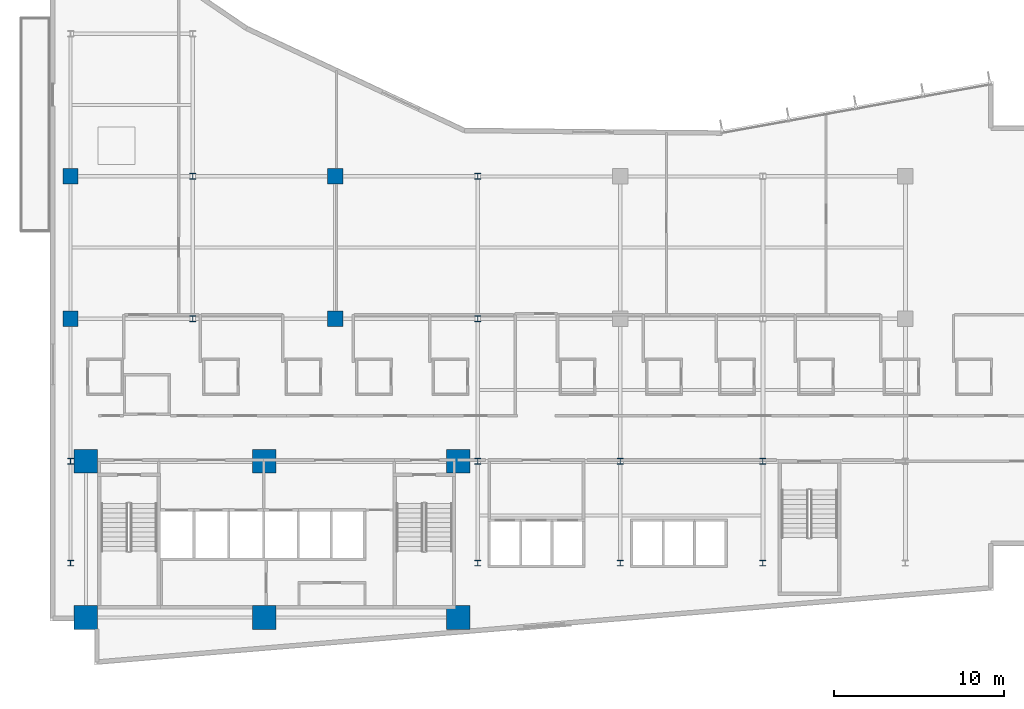
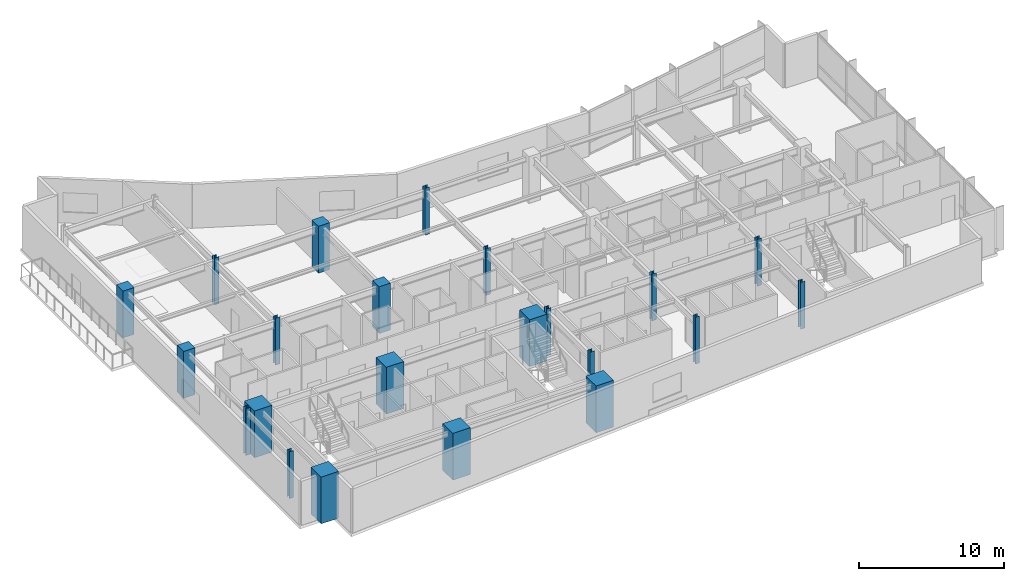
# One storey, part 1 of 21: 22 columns.
"""IFC4 building model written with IfcOpenShell, lengths in metres."""

import ifcopenshell
import ifcopenshell.guid

model = None  # the IFC model being written
_history = None  # IfcOwnerHistory: only IFC2X3 demands one
_inside = {}  # id of a spatial element -> (the spatial element, [elements in it])
_under = {}  # id of a project, library or spatial element -> (it, [spatial elements below it])
_declared = {}  # id of a project -> (the project, [libraries it declares])
_typed = {}  # id of a type object -> (the type object, [elements of that type])
_made_of = {}  # id of a material, layer set ... -> (it, [elements and type objects made of it])


def new_model(schema):
    """Start an empty IFC model of exactly this schema.

    Asked for "IFC4X3", IfcOpenShell would pick the latest addendum, in which some entities
    have other attributes; the version numbers below select the first issue.
    IFC2X3 requires an IfcOwnerHistory on every rooted entity: one is made here for all.
    """
    global model, _history
    if schema == "IFC4X3":
        model = ifcopenshell.file(schema_version=(4, 3, 0, 0))
    else:
        model = ifcopenshell.file(schema=schema)
    _inside.clear()
    _under.clear()
    _declared.clear()
    _typed.clear()
    _made_of.clear()
    _history = None
    if model.schema == "IFC2X3":
        org = make("IfcOrganization", Name="unknown")
        user = make(
            "IfcPersonAndOrganization",
            ThePerson=make("IfcPerson", FamilyName="unknown"),
            TheOrganization=org,
        )
        app = make(
            "IfcApplication",
            ApplicationDeveloper=org,
            Version="unknown",
            ApplicationFullName="unknown",
            ApplicationIdentifier="unknown",
        )
        _history = make(
            "IfcOwnerHistory",
            OwningUser=user,
            OwningApplication=app,
            ChangeAction="ADDED",
            CreationDate=0,
        )
    return model


def make(cls, **values):
    """One entity of the class cls with the attributes given. An attribute that is None is left unset."""
    return model.create_entity(
        cls, **{name: value for name, value in values.items() if value is not None}
    )


def rooted(cls, **values):
    """An entity with a GlobalId (a new one), such as an element, a storey or a relation."""
    return make(cls, GlobalId=ifcopenshell.guid.new(), OwnerHistory=_history, **values)


def si_unit(unit_type, name, prefix=None):
    """IfcSIUnit, for example si_unit("LENGTHUNIT", "METRE", prefix="MILLI")."""
    return make("IfcSIUnit", UnitType=unit_type, Prefix=prefix, Name=name)


def assignment(units):
    """IfcUnitAssignment: the units of a project."""
    return None if units is None else make("IfcUnitAssignment", Units=units)


def point(xyz):
    """IfcCartesianPoint."""
    return None if xyz is None else make("IfcCartesianPoint", Coordinates=xyz)


def direction(xyz):
    """IfcDirection."""
    return None if xyz is None else make("IfcDirection", DirectionRatios=xyz)


def frame(location, z_axis=None, x_axis=None):
    """IfcAxis2Placement3D, a coordinate frame: its origin and axes. An axis left out is left unset."""
    return make(
        "IfcAxis2Placement3D",
        Location=point(location),
        Axis=direction(z_axis),
        RefDirection=direction(x_axis),
    )


def frame_2d(location, x_axis=None):
    """IfcAxis2Placement2D, a coordinate frame in the plane: its origin and x axis."""
    return make(
        "IfcAxis2Placement2D", Location=point(location), RefDirection=direction(x_axis)
    )


def origin():
    """The frame at (0, 0, 0) with its axes left unset."""
    return frame((0.0, 0.0, 0.0))


def origin_2d():
    """The frame at (0, 0) in the plane with its x axis left unset."""
    return frame_2d((0.0, 0.0))


def place(relative_to, where):
    """IfcLocalPlacement: puts the frame where relative to a parent placement (None: the world)."""
    return make(
        "IfcLocalPlacement", PlacementRelTo=relative_to, RelativePlacement=where
    )


def context(
    kind, dimensions, precision=None, world=None, true_north=None, identifier=None
):
    """IfcGeometricRepresentationContext, for example the 3D "Model" context."""
    return make(
        "IfcGeometricRepresentationContext",
        ContextIdentifier=identifier,
        ContextType=kind,
        CoordinateSpaceDimension=dimensions,
        Precision=precision,
        WorldCoordinateSystem=world,
        TrueNorth=true_north,
    )


def subcontext(parent, identifier, kind, view, scale=None):
    """IfcGeometricRepresentationSubContext, for example "Body" below "Model"."""
    return make(
        "IfcGeometricRepresentationSubContext",
        ContextIdentifier=identifier,
        ContextType=kind,
        ParentContext=parent,
        TargetScale=scale,
        TargetView=view,
    )


def project(units=None, contexts=None):
    """IfcProject with its units and contexts."""
    return rooted(
        "IfcProject",
        Name="project",
        RepresentationContexts=contexts,
        UnitsInContext=assignment(units),
    )


def spatial(cls, under=None, at=None, **own):
    """A site, building, storey or space (cls), placed at a placement, below another one or the project."""
    s = rooted(cls, ObjectPlacement=at, **own)
    if under is not None:
        _under.setdefault(under.id(), (under, []))[1].append(s)
    return s


def profile(cls, at=None, kind="AREA", **sizes):
    """A parametric profile (cls). Its sizes go by their IFC names, for example OverallWidth=200.0."""
    return make(cls, ProfileType=kind, Position=at, **sizes)


def rectangle(**sizes):
    """IfcRectangleProfileDef."""
    return profile("IfcRectangleProfileDef", **sizes)


def i_section(**sizes):
    """IfcIShapeProfileDef."""
    return profile("IfcIShapeProfileDef", **sizes)


def extrude(swept, where, along, depth):
    """IfcExtrudedAreaSolid: the profile swept, set in the frame where, extruded along a direction by depth."""
    return make(
        "IfcExtrudedAreaSolid",
        SweptArea=swept,
        Position=where,
        ExtrudedDirection=direction(along),
        Depth=depth,
    )


def shape(context_of_items, identifier, shape_type, items):
    """IfcShapeRepresentation: the items that make up one representation, for example the "Body"."""
    return make(
        "IfcShapeRepresentation",
        ContextOfItems=context_of_items,
        RepresentationIdentifier=identifier,
        RepresentationType=shape_type,
        Items=items,
    )


def material(Name=None, Category=None):
    """IfcMaterial."""
    return make("IfcMaterial", Name=Name, Category=Category)


def material_profile(
    of_material, cross_section, Name=None, Category=None, Priority=None
):
    """IfcMaterialProfile: a cross section and its material."""
    return make(
        "IfcMaterialProfile",
        Name=Name,
        Material=of_material,
        Profile=cross_section,
        Priority=Priority,
        Category=Category,
    )


def profile_set(profiles, Name=None, composite=None):
    """IfcMaterialProfileSet."""
    return make(
        "IfcMaterialProfileSet",
        Name=Name,
        MaterialProfiles=profiles,
        CompositeProfile=composite,
    )


def made_of(thing, what):
    """Note that an element or type object is made of a material, layer set ...; save() writes the relation."""
    if what is not None:
        _made_of.setdefault(what.id(), (what, []))[1].append(thing)
    return thing


def type_object(cls, material=None, **own):
    """A type object (cls), such as IfcWallType, which elements share."""
    return made_of(rooted(cls, **own), material)


def element(
    cls,
    number,
    at=None,
    inside=None,
    cuts=None,
    type_object=None,
    material=None,
    context=None,
    identifier="Body",
    shape_type=None,
    held_by="IfcProductDefinitionShape",
    body=None,
    shapes=None,
    **own,
):
    """One element of the class cls, such as IfcWall. Its Tag is "e" and its number.

    at: its placement. inside: the storey or other place that contains it. cuts: it is an
    opening in that element (IfcRelVoidsElement). A single representation is given by context,
    identifier, shape_type and body (its items); several are given by shapes. held_by: the class
    of the entity that holds the representations. save() writes the other relations.
    """
    e = rooted(cls, Tag="e%d" % number, ObjectPlacement=at, **own)
    if body is not None:
        shapes = [shape(context, identifier, shape_type, body)]
    if shapes is not None:
        e.Representation = make(held_by, Representations=shapes)
    if inside is not None:
        _inside.setdefault(inside.id(), (inside, []))[1].append(e)
    if cuts is not None:
        rooted(
            "IfcRelVoidsElement", RelatingBuildingElement=cuts, RelatedOpeningElement=e
        )
    if type_object is not None:
        _typed.setdefault(type_object.id(), (type_object, []))[1].append(e)
    return made_of(e, material)


def aggregate(whole, parts):
    """IfcRelAggregates: a whole, such as a stair, and the parts it consists of."""
    return rooted("IfcRelAggregates", RelatingObject=whole, RelatedObjects=parts)


def save(model, path):
    """Write the relations noted so far, then the file.

    IfcRelAggregates (storeys below a building ...), IfcRelContainedInSpatialStructure (elements
    in a storey), IfcRelDefinesByType, IfcRelAssociatesMaterial and IfcRelDeclares: one each for
    every whole, place, type object, material and project.
    """
    for whole, parts in _under.values():
        aggregate(whole, parts)
    for where, things in _inside.values():
        rooted(
            "IfcRelContainedInSpatialStructure",
            RelatedElements=things,
            RelatingStructure=where,
        )
    for kind, things in _typed.values():
        rooted("IfcRelDefinesByType", RelatedObjects=things, RelatingType=kind)
    for what, things in _made_of.values():
        rooted("IfcRelAssociatesMaterial", RelatedObjects=things, RelatingMaterial=what)
    for by, libraries in _declared.values():
        rooted("IfcRelDeclares", RelatingContext=by, RelatedDefinitions=libraries)
    model.write(path)


model = new_model("IFC4")

# Units and contexts
model_context = context("Model", 3, precision=1e-05, world=origin(), true_north=direction((0.0, 1.0)))
body_context = subcontext(model_context, "Body", "Model", "MODEL_VIEW")
ifc_project = project(units=[si_unit("LENGTHUNIT", "METRE"), si_unit("AREAUNIT", "SQUARE_METRE"), si_unit("VOLUMEUNIT", "CUBIC_METRE"), si_unit("PLANEANGLEUNIT", "RADIAN"), si_unit("MASSUNIT", "GRAM", prefix="KILO")], contexts=[model_context])

# Site, building, storey
site_placement = place(None, origin())
site = spatial("IfcSite", under=ifc_project, at=site_placement, CompositionType="ELEMENT")
building_placement = place(site_placement, origin())
building = spatial("IfcBuilding", under=site, at=building_placement, Name="Varnakote Quay Hospital", CompositionType="ELEMENT")
storey_placement = place(building_placement, frame((0.0, 0.0, 42.25)))
storey = spatial("IfcBuildingStorey", under=building, at=storey_placement, Name="L10", CompositionType="ELEMENT", Elevation=42.25)

# Columns
ifc_material_1 = material(Name="Concrete N80 (f'c 80 MPa)", Category="concrete")
ifc_material_profile_1 = material_profile(ifc_material_1, rectangle(XDim=1.39990234375, YDim=1.39990234375, at=origin_2d()), Name="RC-COL-1400x1400")
ifc_profile_set_1 = profile_set([ifc_material_profile_1], Name="Concrete N80 (f'c 80 MPa)")
column_type_1 = type_object("IfcColumnType", Name="COL-RC-1400", PredefinedType="COLUMN", material=ifc_profile_set_1)
for number, where, z_axis, x_axis, name in (
    (1, (2.10009765625, 2.800048828125, 0.0), (0.0, 0.0, 1.0), (1.0, 0.0, 0.0), "L10 Structural Column C-2-3"),
    (2, (12.6201171875, 2.800048828125, 0.0), (0.0, 0.0, 1.0), (1.0, 0.0, 0.0), "L10 Structural Column C-13-3"),
    (3, (24.050048828125, 2.800048828125, 0.0), (0.0, 0.0, 1.0), (1.0, 0.0, 0.0), "L10 Structural Column C-24-3"),
    (4, (2.10009765625, 12.0, 0.0), (0.0, 0.0, 1.0), (1.0, 0.0, 0.0), "L10 Structural Column C-2-12"),
    (5, (12.6201171875, 12.0, 0.0), (0.0, 0.0, 1.0), (1.0, 0.0, 0.0), "L10 Structural Column C-13-12"),
    (6, (24.050048828125, 12.0, 0.0), (0.0, 0.0, 1.0), (1.0, 0.0, 0.0), "L10 Structural Column C-24-12"),
):
    element("IfcColumn", number, at=place(storey_placement, frame(where, z_axis=z_axis, x_axis=x_axis)), inside=storey, type_object=column_type_1, Name=name, PredefinedType="COLUMN", context=body_context, shape_type="SweptSolid", body=[
        extrude(rectangle(XDim=1.39990234375, YDim=1.39990234375, at=origin_2d()), origin(), (0.0, 0.0, 1.0), 3.949951171875),
    ])
ifc_material_2 = material(Name="Concrete N50 (f'c 50 MPa)", Category="concrete")
ifc_material_profile_2 = material_profile(ifc_material_2, rectangle(XDim=0.89990234375, YDim=0.89990234375, at=origin_2d()), Name="RC-COL-900x900")
ifc_profile_set_2 = profile_set([ifc_material_profile_2], Name="Concrete N50 (f'c 50 MPa)")
column_type_2 = type_object("IfcColumnType", Name="COL-RC-900", PredefinedType="COLUMN", material=ifc_profile_set_2)
for number, where, z_axis, x_axis, name in (
    (7, (1.199951171875, 20.39990234375, 0.0), (0.0, 0.0, 1.0), (1.0, 0.0, 0.0), "L10 Structural Column C-1-20"),
    (8, (16.800048828125, 20.39990234375, 0.0), (0.0, 0.0, 1.0), (1.0, 0.0, 0.0), "L10 Structural Column C-17-20"),
    (9, (1.199951171875, 28.800048828125, 0.0), (0.0, 0.0, 1.0), (1.0, 0.0, 0.0), "L10 Structural Column C-1-29"),
    (10, (16.800048828125, 28.800048828125, 0.0), (0.0, 0.0, 1.0), (1.0, 0.0, 0.0), "L10 Structural Column C-17-29"),
):
    element("IfcColumn", number, at=place(storey_placement, frame(where, z_axis=z_axis, x_axis=x_axis)), inside=storey, type_object=column_type_2, Name=name, PredefinedType="COLUMN", context=body_context, shape_type="SweptSolid", body=[
        extrude(rectangle(XDim=0.89990234375, YDim=0.89990234375, at=origin_2d()), origin(), (0.0, 0.0, 1.0), 3.949951171875),
    ])
ifc_material_3 = material(Name="Structural steel AS/NZS 3678 Grade 350 (fy 340 MPa)", Category="steel")
ifc_material_profile_3 = material_profile(ifc_material_3, i_section(OverallWidth=0.35009765625, OverallDepth=0.340087890625, WebThickness=0.01611328125, FlangeThickness=0.028076171875, at=origin_2d()), Name="350WC197")
ifc_profile_set_3 = profile_set([ifc_material_profile_3], Name="Structural steel AS/NZS 3678 Grade 350 (fy 340 MPa)")
column_type_3 = type_object("IfcColumnType", Name="COL-STL-350WC197", PredefinedType="COLUMN", material=ifc_profile_set_3)
for number, where, z_axis, x_axis, name in (
    (11, (1.199951171875, 6.0, 0.0), (0.0, 0.0, 1.0), (1.0, 0.0, 0.0), "L10 Structural Column C-1-6"),
    (12, (25.199951171875, 6.0, 0.0), (0.0, 0.0, 1.0), (1.0, 0.0, 0.0), "L10 Structural Column C-25-6"),
    (13, (33.60009765625, 6.0, 0.0), (0.0, 0.0, 1.0), (1.0, 0.0, 0.0), "L10 Structural Column C-34-6"),
    (14, (42.0, 6.0, 0.0), (0.0, 0.0, 1.0), (1.0, 0.0, 0.0), "L10 Structural Column C-42-6"),
    (15, (1.199951171875, 12.0, 0.0), (0.0, 0.0, 1.0), (1.0, 0.0, 0.0), "L10 Structural Column C-1-12"),
    (16, (25.199951171875, 12.0, 0.0), (0.0, 0.0, 1.0), (1.0, 0.0, 0.0), "L10 Structural Column C-25-12"),
    (17, (33.60009765625, 12.0, 0.0), (0.0, 0.0, 1.0), (1.0, 0.0, 0.0), "L10 Structural Column C-34-12"),
    (18, (42.0, 12.0, 0.0), (0.0, 0.0, 1.0), (1.0, 0.0, 0.0), "L10 Structural Column C-42-12"),
    (19, (8.39990234375, 20.39990234375, 0.0), (0.0, 0.0, 1.0), (1.0, 0.0, 0.0), "L10 Structural Column C-8-20"),
    (20, (25.199951171875, 20.39990234375, 0.0), (0.0, 0.0, 1.0), (1.0, 0.0, 0.0), "L10 Structural Column C-25-20"),
    (21, (8.39990234375, 28.800048828125, 0.0), (0.0, 0.0, 1.0), (1.0, 0.0, 0.0), "L10 Structural Column C-8-29"),
    (22, (25.199951171875, 28.800048828125, 0.0), (0.0, 0.0, 1.0), (1.0, 0.0, 0.0), "L10 Structural Column C-25-29"),
):
    element("IfcColumn", number, at=place(storey_placement, frame(where, z_axis=z_axis, x_axis=x_axis)), inside=storey, type_object=column_type_3, Name=name, PredefinedType="COLUMN", context=body_context, shape_type="SweptSolid", body=[
        extrude(i_section(OverallWidth=0.35009765625, OverallDepth=0.340087890625, WebThickness=0.01611328125, FlangeThickness=0.028076171875, at=origin_2d()), origin(), (0.0, 0.0, 1.0), 3.949951171875),
    ])

save(model, "model.ifc")
